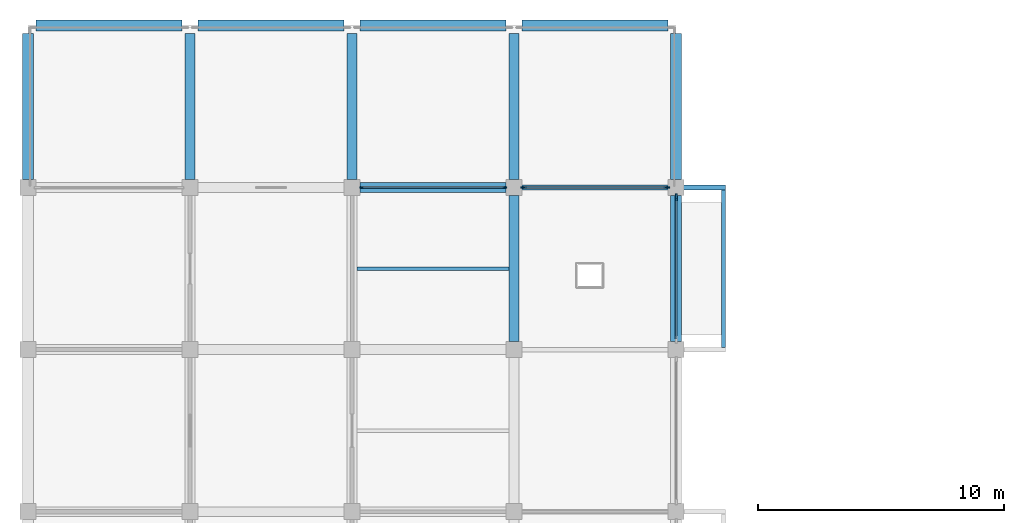
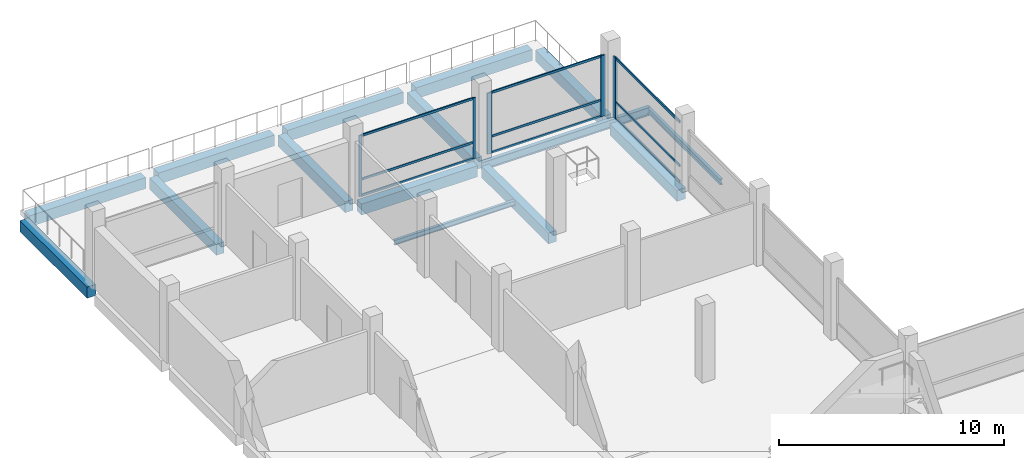
# One storey, part 5 of 11: 15 beams, 14 members, 3 elements without a shape of their own.
"""IFC4 building model written with IfcOpenShell, lengths in metres."""

from ifc_helpers import new_model, si_unit, direction, frame, origin, origin_2d, place, context, subcontext, project, spatial, rectangle, i_section, extrude, material, material_profile, profile_set, type_object, element, aggregate, save


model = new_model("IFC4")

# Units and contexts
model_context = context("Model", 3, precision=1e-05, world=origin(), true_north=direction((0.0, 1.0)))
body_context = subcontext(model_context, "Body", "Model", "MODEL_VIEW")
ifc_project = project(units=[si_unit("LENGTHUNIT", "METRE"), si_unit("AREAUNIT", "SQUARE_METRE"), si_unit("VOLUMEUNIT", "CUBIC_METRE"), si_unit("PLANEANGLEUNIT", "RADIAN"), si_unit("MASSUNIT", "GRAM", prefix="KILO")], contexts=[model_context])

# Site, building, storey
site_placement = place(None, origin())
site = spatial("IfcSite", under=ifc_project, at=site_placement, CompositionType="ELEMENT")
building_placement = place(site_placement, origin())
building = spatial("IfcBuilding", under=site, at=building_placement, Name="Rusizi Kubbe Research Institute", CompositionType="ELEMENT")
storey_placement = place(building_placement, frame((0.0, 0.0, 56.39990234375)))
storey = spatial("IfcBuildingStorey", under=building, at=storey_placement, Name="L13", CompositionType="ELEMENT", Elevation=56.39990234375)

# Beams
ifc_material_1 = material(Name="Steel S355", Category="steel")
ifc_material_profile_1 = material_profile(ifc_material_1, i_section(OverallWidth=0.135009765625, OverallDepth=0.27001953125, WebThickness=0.006591796875, FlangeThickness=0.01025390625, at=origin_2d()), Name="IPE 270")
ifc_profile_set_1 = profile_set([ifc_material_profile_1], Name="Steel S355")
beam_type_1 = type_object("IfcBeamType", Name="BM-IPE270", PredefinedType="JOIST", material=ifc_profile_set_1)
beam_1_placement = place(storey_placement, frame((13.39990234375, 49.5, -0.434814453125), z_axis=(1.0, 0.0, 0.0), x_axis=(0.0, 1.0, 0.0)))
element("IfcBeam", 1, at=beam_1_placement, inside=storey, type_object=beam_type_1, Name="Lab Stiffener Joist L13 (2,7)", PredefinedType="JOIST", context=body_context, shape_type="SweptSolid", body=[
    extrude(i_section(OverallWidth=0.135009765625, OverallDepth=0.27001953125, WebThickness=0.006591796875, FlangeThickness=0.01025390625, at=origin_2d()), origin(), (0.0, 0.0, 1.0), 6.2001953125),
])
ifc_material_2 = material(Name="Steel S355", Category="steel")
ifc_material_profile_2 = material_profile(ifc_material_2, i_section(OverallWidth=0.14990234375, OverallDepth=0.300048828125, WebThickness=0.007080078125, FlangeThickness=0.0107421875, at=origin_2d()), Name="IPE 300")
ifc_profile_set_2 = profile_set([ifc_material_profile_2], Name="Steel S355")
beam_type_2 = type_object("IfcBeamType", Name="BM-IPE300", PredefinedType="BEAM", material=ifc_profile_set_2)
beam_2_placement = place(storey_placement, frame((28.324951171875, 46.294921875, -0.449951171875), z_axis=(0.0, 1.0, 0.0), x_axis=(-1.0, 0.0, 0.0)))
element("IfcBeam", 2, at=beam_2_placement, inside=storey, type_object=beam_type_2, Name="Cumba Edge Tie Beam L13-2", PredefinedType="BEAM", context=body_context, shape_type="SweptSolid", body=[
    extrude(i_section(OverallWidth=0.14990234375, OverallDepth=0.300048828125, WebThickness=0.007080078125, FlangeThickness=0.0107421875, at=origin_2d()), origin(), (0.0, 0.0, 1.0), 6.41015625),
])
ifc_material_3 = material(Name="Steel S355", Category="steel")
ifc_material_profile_3 = material_profile(ifc_material_3, i_section(OverallWidth=0.18994140625, OverallDepth=0.449951171875, WebThickness=0.009521484375, FlangeThickness=0.0146484375, at=origin_2d()), Name="IPE 450")
ifc_profile_set_3 = profile_set([ifc_material_profile_3], Name="Steel S355")
beam_type_3 = type_object("IfcBeamType", Name="BM-IPE450", PredefinedType="BEAM", material=ifc_profile_set_3)
beam_3_placement = place(storey_placement, frame((19.800048828125, 52.800048828125, -0.52490234375), z_axis=(1.0, 0.0, 0.0), x_axis=(0.0, 1.0, 0.0)))
element("IfcBeam", 3, at=beam_3_placement, inside=storey, type_object=beam_type_3, Name="Cumba Back-Spanned Cantilever Beam L13-2N", PredefinedType="BEAM", context=body_context, shape_type="SweptSolid", body=[
    extrude(i_section(OverallWidth=0.18994140625, OverallDepth=0.449951171875, WebThickness=0.009521484375, FlangeThickness=0.0146484375, at=origin_2d()), origin(), (0.0, 0.0, 1.0), 8.599853515625),
])
ifc_material_4 = material(Name="Concrete C40/50", Category="concrete")
ifc_material_profile_4 = material_profile(ifc_material_4, rectangle(XDim=0.39990234375, YDim=0.60009765625, at=origin_2d()), Name="RC400x600")
ifc_profile_set_4 = profile_set([ifc_material_profile_4], Name="Concrete C40/50")
beam_type_4 = type_object("IfcBeamType", Name="BM-RC400x600", PredefinedType="BEAM", material=ifc_profile_set_4)
beam_4_placement = place(storey_placement, frame((13.52490234375, 52.800048828125, -0.599853515625), z_axis=(1.0, 0.0, 0.0), x_axis=(0.0, 1.0, 0.0)))
element("IfcBeam", 4, at=beam_4_placement, inside=storey, type_object=beam_type_4, Name="Grid Beam H L13 (2,8)", PredefinedType="BEAM", context=body_context, shape_type="SweptSolid", body=[
    extrude(rectangle(XDim=0.39990234375, YDim=0.60009765625, at=origin_2d()), origin(), (0.0, 0.0, 1.0), 5.9501953125),
])
for number, where, z_axis, x_axis, name in (
    (5, (6.60009765625, 53.125, -0.599853515625), (0.0, 1.0, 0.0), (-1.0, 0.0, 0.0), "Grid Beam V L13 (1,8)"),
    (6, (13.199951171875, 53.125, -0.599853515625), (0.0, 1.0, 0.0), (-1.0, 0.0, 0.0), "Grid Beam V L13 (2,8)"),
):
    element("IfcBeam", number, at=place(storey_placement, frame(where, z_axis=z_axis, x_axis=x_axis)), inside=storey, type_object=beam_type_4, Name=name, PredefinedType="BEAM", context=body_context, shape_type="SweptSolid", body=[
        extrude(rectangle(XDim=0.39990234375, YDim=0.60009765625, at=origin_2d()), origin(), (0.0, 0.0, 1.0), 5.949951171875),
    ])
beam_5_placement = place(storey_placement, frame((19.800048828125, 46.52490234375, -0.599853515625), z_axis=(0.0, 1.0, 0.0), x_axis=(-1.0, 0.0, 0.0)))
element("IfcBeam", 7, at=beam_5_placement, inside=storey, type_object=beam_type_4, Name="Grid Beam V L13 (3,7)", PredefinedType="BEAM", context=body_context, shape_type="SweptSolid", body=[
    extrude(rectangle(XDim=0.39990234375, YDim=0.60009765625, at=origin_2d()), origin(), (0.0, 0.0, 1.0), 5.9501953125),
])
beam_6_placement = place(storey_placement, frame((19.800048828125, 53.125, -0.599853515625), z_axis=(0.0, 1.0, 0.0), x_axis=(-1.0, 0.0, 0.0)))
element("IfcBeam", 8, at=beam_6_placement, inside=storey, type_object=beam_type_4, Name="Grid Beam V L13 (3,8)", PredefinedType="BEAM", context=body_context, shape_type="SweptSolid", body=[
    extrude(rectangle(XDim=0.39990234375, YDim=0.60009765625, at=origin_2d()), origin(), (0.0, 0.0, 1.0), 5.949951171875),
])
ifc_material_5 = material(Name="Concrete C40/50", Category="concrete")
ifc_material_profile_5 = material_profile(ifc_material_5, rectangle(XDim=0.449951171875, YDim=0.60009765625, at=origin_2d()), Name="RC450x600")
ifc_profile_set_5 = profile_set([ifc_material_profile_5], Name="Concrete C40/50")
beam_type_5 = type_object("IfcBeamType", Name="BM-RC450x600", PredefinedType="SPANDREL", material=ifc_profile_set_5)
for number, where, z_axis, x_axis, name in (
    (9, (0.324951171875, 59.39990234375, -0.599853515625), (1.0, 0.0, 0.0), (0.0, 1.0, 0.0), "Grid Beam H L13 (0,9)"),
    (10, (6.925048828125, 59.39990234375, -0.599853515625), (1.0, 0.0, 0.0), (0.0, 1.0, 0.0), "Grid Beam H L13 (1,9)"),
):
    element("IfcBeam", number, at=place(storey_placement, frame(where, z_axis=z_axis, x_axis=x_axis)), inside=storey, type_object=beam_type_5, Name=name, PredefinedType="SPANDREL", context=body_context, shape_type="SweptSolid", body=[
        extrude(rectangle(XDim=0.449951171875, YDim=0.60009765625, at=origin_2d()), origin(), (0.0, 0.0, 1.0), 5.949951171875),
    ])
beam_7_placement = place(storey_placement, frame((13.52490234375, 59.39990234375, -0.599853515625), z_axis=(1.0, 0.0, 0.0), x_axis=(0.0, 1.0, 0.0)))
element("IfcBeam", 11, at=beam_7_placement, inside=storey, type_object=beam_type_5, Name="Grid Beam H L13 (2,9)", PredefinedType="SPANDREL", context=body_context, shape_type="SweptSolid", body=[
    extrude(rectangle(XDim=0.449951171875, YDim=0.60009765625, at=origin_2d()), origin(), (0.0, 0.0, 1.0), 5.9501953125),
])
for number, where, z_axis, x_axis, name in (
    (12, (20.125, 59.39990234375, -0.599853515625), (1.0, 0.0, 0.0), (0.0, 1.0, 0.0), "Grid Beam H L13 (3,9)"),
    (13, (0.0, 53.125, -0.599853515625), (0.0, 1.0, 0.0), (-1.0, 0.0, 0.0), "Grid Beam V L13 (0,8)"),
):
    element("IfcBeam", number, at=place(storey_placement, frame(where, z_axis=z_axis, x_axis=x_axis)), inside=storey, type_object=beam_type_5, Name=name, PredefinedType="SPANDREL", context=body_context, shape_type="SweptSolid", body=[
        extrude(rectangle(XDim=0.449951171875, YDim=0.60009765625, at=origin_2d()), origin(), (0.0, 0.0, 1.0), 5.949951171875),
    ])
beam_8_placement = place(storey_placement, frame((26.39990234375, 46.52490234375, -0.599853515625), z_axis=(0.0, 1.0, 0.0), x_axis=(-1.0, 0.0, 0.0)))
element("IfcBeam", 14, at=beam_8_placement, inside=storey, type_object=beam_type_5, Name="Grid Beam V L13 (4,7)", PredefinedType="SPANDREL", context=body_context, shape_type="SweptSolid", body=[
    extrude(rectangle(XDim=0.449951171875, YDim=0.60009765625, at=origin_2d()), origin(), (0.0, 0.0, 1.0), 5.9501953125),
])
beam_9_placement = place(storey_placement, frame((26.39990234375, 53.125, -0.599853515625), z_axis=(0.0, 1.0, 0.0), x_axis=(-1.0, 0.0, 0.0)))
element("IfcBeam", 15, at=beam_9_placement, inside=storey, type_object=beam_type_5, Name="Grid Beam V L13 (4,8)", PredefinedType="SPANDREL", context=body_context, shape_type="SweptSolid", body=[
    extrude(rectangle(XDim=0.449951171875, YDim=0.60009765625, at=origin_2d()), origin(), (0.0, 0.0, 1.0), 5.949951171875),
])

# Curtain wall, members
ifc_material_6 = material(Name="Thermally Broken Aluminium and Low-E Glazing", Category="aluminium")
curtain_wall_type_1 = type_object("IfcCurtainWallType", Name="CW-15", PredefinedType="NOTDEFINED", material=ifc_material_6)
curtain_wall_1_placement = place(storey_placement, origin())
curtain_wall_1 = element("IfcCurtainWall", 16, at=curtain_wall_1_placement, inside=storey, type_object=curtain_wall_type_1, Name="Unitised Facade Curtain Wall CW-L13-H-02-08", PredefinedType="NOTDEFINED")
ifc_material_7 = material(Name="Aluminium Alloy 6063-T6", Category="aluminium")
ifc_material_profile_6 = material_profile(ifc_material_7, rectangle(XDim=0.06005859375, YDim=0.14990234375, at=origin_2d()), Name="ALU-M 60x150")
ifc_profile_set_6 = profile_set([ifc_material_profile_6], Name="Aluminium Alloy 6063-T6")
member_type_1 = type_object("IfcMemberType", Name="ML-01", PredefinedType="MULLION", material=ifc_profile_set_6)
member_1_placement = place(storey_placement, frame((13.5849609375, 52.800048828125, 0.0), z_axis=(0.0, 0.0, 1.0), x_axis=(0.0, 1.0, 0.0)))
member_1 = element("IfcMember", 17, at=member_1_placement, type_object=member_type_1, Name="CW-15 mullion 1", PredefinedType="MULLION", context=body_context, shape_type="SweptSolid", body=[
    extrude(rectangle(XDim=0.06005859375, YDim=0.14990234375, at=origin_2d()), origin(), (0.0, 0.0, 1.0), 3.300048828125),
])
member_2_placement = place(storey_placement, frame((19.4150390625, 52.800048828125, 0.0), z_axis=(0.0, 0.0, 1.0), x_axis=(0.0, 1.0, 0.0)))
member_2 = element("IfcMember", 18, at=member_2_placement, type_object=member_type_1, Name="CW-15 mullion 2", PredefinedType="MULLION", context=body_context, shape_type="SweptSolid", body=[
    extrude(rectangle(XDim=0.06005859375, YDim=0.14990234375, at=origin_2d()), origin(), (0.0, 0.0, 1.0), 3.300048828125),
])

curtain_wall_2_placement = place(storey_placement, origin())
curtain_wall_2 = element("IfcCurtainWall", 19, at=curtain_wall_2_placement, inside=storey, type_object=curtain_wall_type_1, Name="Unitised Facade Curtain Wall CW-L13-H-03-08", PredefinedType="NOTDEFINED")
ifc_material_8 = material(Name="Aluminium Alloy 6063-T6", Category="aluminium")
ifc_material_profile_7 = material_profile(ifc_material_8, rectangle(XDim=0.074951171875, YDim=0.25, at=origin_2d()), Name="ALU-M 75x250")
ifc_profile_set_7 = profile_set([ifc_material_profile_7], Name="Aluminium Alloy 6063-T6")
member_type_2 = type_object("IfcMemberType", Name="ML-05", PredefinedType="MULLION", material=ifc_profile_set_7)
member_3_placement = place(storey_placement, frame((20.1923828125, 52.800048828125, 0.0), z_axis=(0.0, 0.0, 1.0), x_axis=(0.0, 1.0, 0.0)))
member_3 = element("IfcMember", 20, at=member_3_placement, type_object=member_type_2, Name="CW-15 mullion 1", PredefinedType="MULLION", context=body_context, shape_type="SweptSolid", body=[
    extrude(rectangle(XDim=0.074951171875, YDim=0.25, at=origin_2d()), origin(), (0.0, 0.0, 1.0), 3.300048828125),
])
member_4_placement = place(storey_placement, frame((26.007568359375, 52.800048828125, 0.0), z_axis=(0.0, 0.0, 1.0), x_axis=(0.0, 1.0, 0.0)))
member_4 = element("IfcMember", 21, at=member_4_placement, type_object=member_type_2, Name="CW-15 mullion 2", PredefinedType="MULLION", context=body_context, shape_type="SweptSolid", body=[
    extrude(rectangle(XDim=0.074951171875, YDim=0.25, at=origin_2d()), origin(), (0.0, 0.0, 1.0), 3.300048828125),
])

# Curtain wall, member
ifc_material_9 = material(Name="Thermally Broken Aluminium and Low-E Glazing", Category="aluminium")
curtain_wall_type_2 = type_object("IfcCurtainWallType", Name="CW-14", PredefinedType="NOTDEFINED", material=ifc_material_9)
curtain_wall_3_placement = place(storey_placement, origin())
curtain_wall_3 = element("IfcCurtainWall", 22, at=curtain_wall_3_placement, inside=storey, type_object=curtain_wall_type_2, Name="Unitised Facade Curtain Wall CW-L13-V-04-07", PredefinedType="NOTDEFINED")
ifc_material_10 = material(Name="Aluminium Alloy 6063-T6", Category="aluminium")
ifc_material_profile_8 = material_profile(ifc_material_10, rectangle(XDim=0.080078125, YDim=0.280029296875, at=origin_2d()), Name="ALU-M 80x280")
ifc_profile_set_8 = profile_set([ifc_material_profile_8], Name="Aluminium Alloy 6063-T6")
member_type_3 = type_object("IfcMemberType", Name="ML-06", PredefinedType="MULLION", material=ifc_profile_set_8)
member_5_placement = place(storey_placement, frame((26.39990234375, 52.405029296875, 0.0), z_axis=(0.0, 0.0, 1.0), x_axis=(-1.0, 0.0, 0.0)))
member_5 = element("IfcMember", 23, at=member_5_placement, type_object=member_type_3, Name="CW-14 mullion 2", PredefinedType="MULLION", context=body_context, shape_type="SweptSolid", body=[
    extrude(rectangle(XDim=0.080078125, YDim=0.280029296875, at=origin_2d()), origin(), (0.0, 0.0, 1.0), 3.300048828125),
])

# Member
ifc_material_11 = material(Name="Aluminium Alloy 6063-T6", Category="aluminium")
ifc_material_profile_9 = material_profile(ifc_material_11, rectangle(XDim=0.06005859375, YDim=0.1201171875, at=origin_2d()), Name="ALU-T 60x120")
ifc_profile_set_9 = profile_set([ifc_material_profile_9], Name="Aluminium Alloy 6063-T6")
member_type_4 = type_object("IfcMemberType", Name="TR-01", PredefinedType="USERDEFINED", material=ifc_profile_set_9)
member_6_placement = place(storey_placement, frame((13.614990234375, 52.800048828125, 0.030029296875), z_axis=(1.0, 0.0, 0.0), x_axis=(0.0, 1.0, 0.0)))
member_6 = element("IfcMember", 24, at=member_6_placement, type_object=member_type_4, Name="CW-15 transom 1.1", ObjectType="TRANSOM", PredefinedType="USERDEFINED", context=body_context, shape_type="SweptSolid", body=[
    extrude(rectangle(XDim=0.06005859375, YDim=0.1201171875, at=origin_2d()), origin(), (0.0, 0.0, 1.0), 5.77001953125),
])

member_7_placement = place(storey_placement, frame((13.614990234375, 52.800048828125, 0.900146484375), z_axis=(1.0, 0.0, 0.0), x_axis=(0.0, 1.0, 0.0)))
member_7 = element("IfcMember", 25, at=member_7_placement, type_object=member_type_4, Name="CW-15 transom 1.2", ObjectType="TRANSOM", PredefinedType="USERDEFINED", context=body_context, shape_type="SweptSolid", body=[
    extrude(rectangle(XDim=0.06005859375, YDim=0.1201171875, at=origin_2d()), origin(), (0.0, 0.0, 1.0), 5.77001953125),
])

member_8_placement = place(storey_placement, frame((13.614990234375, 52.800048828125, 3.27001953125), z_axis=(1.0, 0.0, 0.0), x_axis=(0.0, 1.0, 0.0)))
member_8 = element("IfcMember", 26, at=member_8_placement, type_object=member_type_4, Name="CW-15 transom 1.3", ObjectType="TRANSOM", PredefinedType="USERDEFINED", context=body_context, shape_type="SweptSolid", body=[
    extrude(rectangle(XDim=0.06005859375, YDim=0.1201171875, at=origin_2d()), origin(), (0.0, 0.0, 1.0), 5.77001953125),
])

aggregate(curtain_wall_1, [member_1, member_2, member_6, member_7, member_8])

member_9_placement = place(storey_placement, frame((20.22998046875, 52.800048828125, 0.030029296875), z_axis=(1.0, 0.0, 0.0), x_axis=(0.0, 1.0, 0.0)))
member_9 = element("IfcMember", 27, at=member_9_placement, type_object=member_type_4, Name="CW-15 transom 1.1", ObjectType="TRANSOM", PredefinedType="USERDEFINED", context=body_context, shape_type="SweptSolid", body=[
    extrude(rectangle(XDim=0.06005859375, YDim=0.1201171875, at=origin_2d()), origin(), (0.0, 0.0, 1.0), 5.739990234375),
])

member_10_placement = place(storey_placement, frame((20.22998046875, 52.800048828125, 0.900146484375), z_axis=(1.0, 0.0, 0.0), x_axis=(0.0, 1.0, 0.0)))
member_10 = element("IfcMember", 28, at=member_10_placement, type_object=member_type_4, Name="CW-15 transom 1.2", ObjectType="TRANSOM", PredefinedType="USERDEFINED", context=body_context, shape_type="SweptSolid", body=[
    extrude(rectangle(XDim=0.06005859375, YDim=0.1201171875, at=origin_2d()), origin(), (0.0, 0.0, 1.0), 5.739990234375),
])

member_11_placement = place(storey_placement, frame((20.22998046875, 52.800048828125, 3.27001953125), z_axis=(1.0, 0.0, 0.0), x_axis=(0.0, 1.0, 0.0)))
member_11 = element("IfcMember", 29, at=member_11_placement, type_object=member_type_4, Name="CW-15 transom 1.3", ObjectType="TRANSOM", PredefinedType="USERDEFINED", context=body_context, shape_type="SweptSolid", body=[
    extrude(rectangle(XDim=0.06005859375, YDim=0.1201171875, at=origin_2d()), origin(), (0.0, 0.0, 1.0), 5.739990234375),
])

aggregate(curtain_wall_2, [member_3, member_4, member_9, member_10, member_11])

ifc_material_12 = material(Name="Aluminium Alloy 6063-T6", Category="aluminium")
ifc_material_profile_10 = material_profile(ifc_material_12, rectangle(XDim=0.06005859375, YDim=0.139892578125, at=origin_2d()), Name="ALU-T 60x140")
ifc_profile_set_10 = profile_set([ifc_material_profile_10], Name="Aluminium Alloy 6063-T6")
member_type_5 = type_object("IfcMemberType", Name="TR-02", PredefinedType="USERDEFINED", material=ifc_profile_set_10)
member_12_placement = place(storey_placement, frame((26.39990234375, 46.635009765625, 0.030029296875), z_axis=(0.0, 1.0, 0.0), x_axis=(-1.0, 0.0, 0.0)))
member_12 = element("IfcMember", 30, at=member_12_placement, type_object=member_type_5, Name="CW-14 transom 1.1", ObjectType="TRANSOM", PredefinedType="USERDEFINED", context=body_context, shape_type="SweptSolid", body=[
    extrude(rectangle(XDim=0.06005859375, YDim=0.139892578125, at=origin_2d()), origin(), (0.0, 0.0, 1.0), 5.72998046875),
])

member_13_placement = place(storey_placement, frame((26.39990234375, 46.635009765625, 0.900146484375), z_axis=(0.0, 1.0, 0.0), x_axis=(-1.0, 0.0, 0.0)))
member_13 = element("IfcMember", 31, at=member_13_placement, type_object=member_type_5, Name="CW-14 transom 1.2", ObjectType="TRANSOM", PredefinedType="USERDEFINED", context=body_context, shape_type="SweptSolid", body=[
    extrude(rectangle(XDim=0.06005859375, YDim=0.139892578125, at=origin_2d()), origin(), (0.0, 0.0, 1.0), 5.72998046875),
])

member_14_placement = place(storey_placement, frame((26.39990234375, 46.635009765625, 3.27001953125), z_axis=(0.0, 1.0, 0.0), x_axis=(-1.0, 0.0, 0.0)))
member_14 = element("IfcMember", 32, at=member_14_placement, type_object=member_type_5, Name="CW-14 transom 1.3", ObjectType="TRANSOM", PredefinedType="USERDEFINED", context=body_context, shape_type="SweptSolid", body=[
    extrude(rectangle(XDim=0.06005859375, YDim=0.139892578125, at=origin_2d()), origin(), (0.0, 0.0, 1.0), 5.72998046875),
])

aggregate(curtain_wall_3, [member_5, member_12, member_13, member_14])

save(model, "model.ifc")
